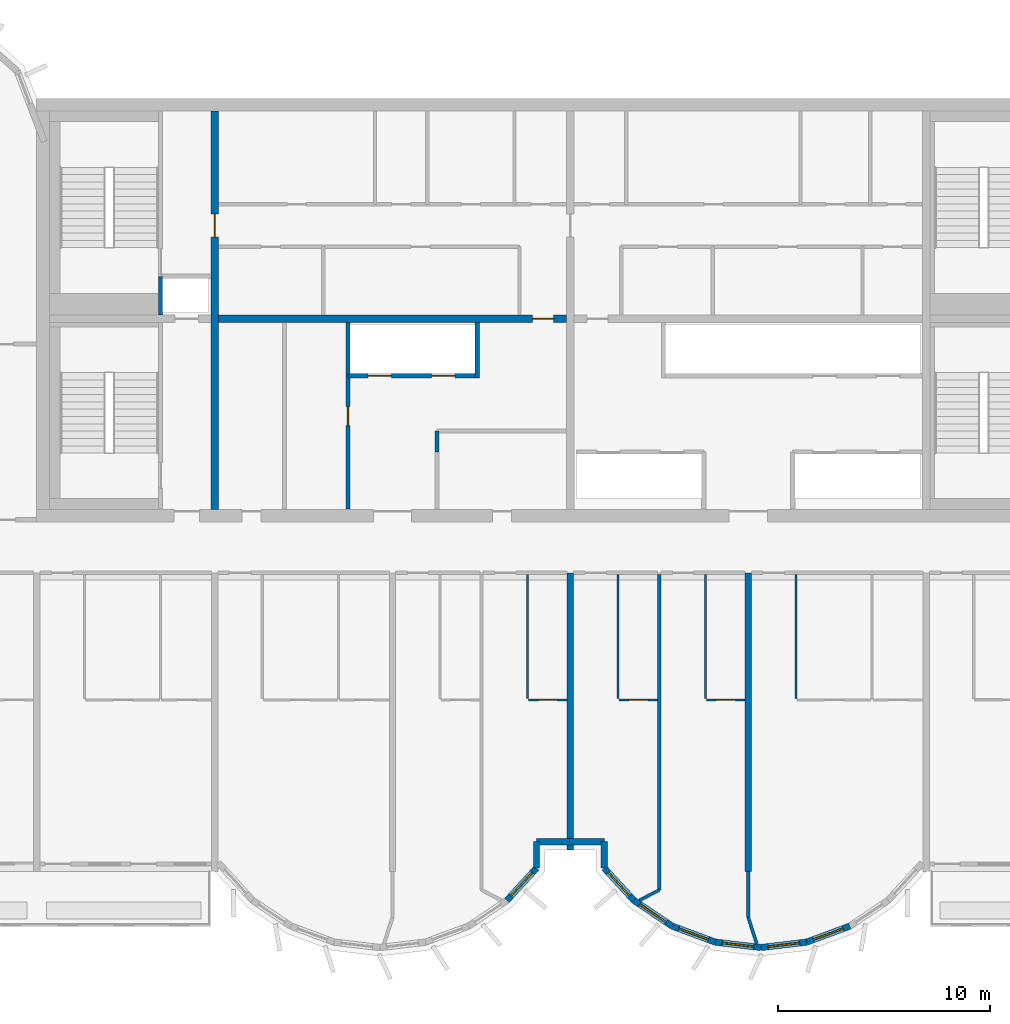
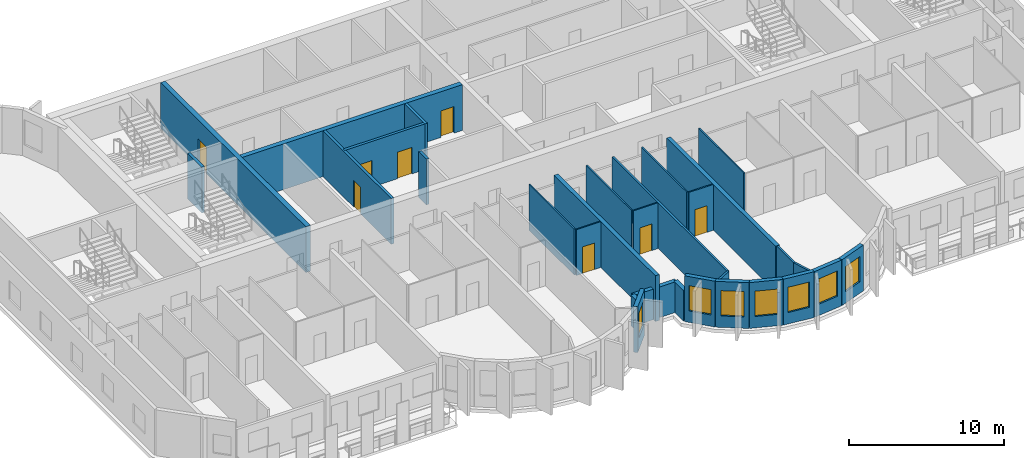
# One storey, part 4 of 11: 30 walls, 8 doors, 7 windows, 15 openings.
"""IFC4 building model written with IfcOpenShell, lengths in metres."""

from ifc_helpers import new_model, si_unit, direction, frame, frame_2d, origin, place, context, subcontext, project, spatial, rectangle, extrude, source, transform, mapped, material, layer, layer_set, type_object, element, fill, save


model = new_model("IFC4")

# Units and contexts
model_context = context("Model", 3, precision=1e-05, world=origin(), true_north=direction((0.0, 1.0)))
body_context = subcontext(model_context, "Body", "Model", "MODEL_VIEW")
ifc_project = project(units=[si_unit("LENGTHUNIT", "METRE"), si_unit("AREAUNIT", "SQUARE_METRE"), si_unit("VOLUMEUNIT", "CUBIC_METRE"), si_unit("PLANEANGLEUNIT", "RADIAN"), si_unit("MASSUNIT", "GRAM", prefix="KILO")], contexts=[model_context])

# Site, building, storey
site_placement = place(None, origin())
site = spatial("IfcSite", under=ifc_project, at=site_placement, CompositionType="ELEMENT")
building_placement = place(site_placement, origin())
building = spatial("IfcBuilding", under=site, at=building_placement, Name="Vanashikhar Sky Hotel", CompositionType="ELEMENT")
storey_placement = place(building_placement, frame((0.0, 0.0, 260.800048828125)))
storey = spatial("IfcBuildingStorey", under=building, at=storey_placement, Name="L63", CompositionType="ELEMENT", Elevation=260.800048828125)

# Wall, opening, door
ifc_material_1 = material(Name="Concrete M60", Category="concrete")
ifc_layer_1 = layer(ifc_material_1, 0.35009765625)
ifc_layer_set_1 = layer_set([ifc_layer_1], Name="RC core inner wall 350 Concrete M60")
wall_type_1 = type_object("IfcWallType", Name="RC core inner wall 350 Concrete M60", PredefinedType="SHEAR", material=ifc_layer_set_1)
shared_shape_1 = source(origin(), body_context, "Body", "SweptSolid", [
    extrude(rectangle(XDim=18.7998046875, YDim=0.35009765625, at=frame_2d((9.39990234375, 0.0))), origin(), (0.0, 0.0, 1.0), 3.619873046875),
])
wall_1_placement = place(storey_placement, frame((33.60009765625, 22.60009765625, 0.0), z_axis=(0.0, 0.0, 1.0), x_axis=(0.0, 1.0, 0.0)))
wall_1 = element("IfcWall", 1, at=wall_1_placement, inside=storey, type_object=wall_type_1, Name="KW-L63-KX1", PredefinedType="SHEAR", context=body_context, shape_type="MappedRepresentation", body=[
    mapped(shared_shape_1, transform((0.0, 0.0, 0.0), scale=1.0)),
])
shared_shape_2 = source(origin(), body_context, "Body", "SweptSolid", [
    extrude(rectangle(XDim=1.10009765625, YDim=2.10009765625, at=frame_2d((0.550048828125, 1.050048828125))), frame((0.0, 0.18505859375, 0.0), z_axis=(0.0, -1.0, 0.0), x_axis=(1.0, 0.0, 0.0)), (0.0, 0.0, 1.0), 0.3701171875),
])
opening_1_placement = place(wall_1_placement, frame((12.85009765625, 0.0, 0.0)))
opening_1 = element("IfcOpeningElement", 2, at=opening_1_placement, cuts=wall_1, Name="Opening DC-4-C", PredefinedType="OPENING", context=body_context, shape_type="MappedRepresentation", body=[
    mapped(shared_shape_2, transform((0.0, 0.0, 0.0), scale=1.0)),
])
ifc_material_2 = material(Name="Steel", Category="steel")
door_type_1 = type_object("IfcDoorType", Name="Service door 1100 FD60", OperationType="NOTDEFINED", PredefinedType="DOOR", material=ifc_material_2)
shared_shape_3 = source(origin(), body_context, "Body", "SweptSolid", [
    extrude(rectangle(XDim=1.10009765625, YDim=2.10009765625, at=frame_2d((0.550048828125, 1.050048828125))), frame((0.0, 0.02490234375, 0.0), z_axis=(0.0, -1.0, 0.0), x_axis=(1.0, 0.0, 0.0)), (0.0, 0.0, 1.0), 0.050048828125),
])
door_1_placement = place(opening_1_placement, origin())
door_1 = element("IfcDoor", 3, at=door_1_placement, inside=storey, type_object=door_type_1, Name="Service door 1100 FD60", OperationType="SINGLE_SWING_RIGHT", OverallHeight=2.10009765625, OverallWidth=1.10009765625, PredefinedType="DOOR", context=body_context, shape_type="MappedRepresentation", body=[
    mapped(shared_shape_3, transform((0.0, 0.0, 0.0), scale=1.0)),
])
fill(opening_1, door_1)

shared_shape_4 = source(origin(), body_context, "Body", "SweptSolid", [
    extrude(rectangle(XDim=16.4501953125, YDim=0.35009765625, at=frame_2d((8.22509765625, 0.0))), origin(), (0.0, 0.0, 1.0), 3.619873046875),
])
wall_2_placement = place(storey_placement, frame((33.77490234375, 31.60009765625, 0.0), z_axis=(0.0, 0.0, 1.0), x_axis=(1.0, 0.0, 0.0)))
wall_2 = element("IfcWall", 4, at=wall_2_placement, inside=storey, type_object=wall_type_1, Name="KW-L63-KY2", PredefinedType="SHEAR", context=body_context, shape_type="MappedRepresentation", body=[
    mapped(shared_shape_4, transform((0.0, 0.0, 0.0), scale=1.0)),
])
shared_shape_5 = source(origin(), body_context, "Body", "SweptSolid", [
    extrude(rectangle(XDim=1.0, YDim=2.10009765625, at=frame_2d((0.5, 1.050048828125))), frame((0.0, 0.18505859375, 0.0), z_axis=(0.0, -1.0, 0.0), x_axis=(1.0, 0.0, 0.0)), (0.0, 0.0, 1.0), 0.3701171875),
])
opening_2_placement = place(wall_2_placement, frame((14.8369140625, 0.0, 0.0)))
opening_2 = element("IfcOpeningElement", 5, at=opening_2_placement, cuts=wall_2, Name="Opening DC-4", PredefinedType="OPENING", context=body_context, shape_type="MappedRepresentation", body=[
    mapped(shared_shape_5, transform((0.0, 0.0, 0.0), scale=1.0)),
])
door_type_2 = type_object("IfcDoorType", Name="Service door 1000 FD60", OperationType="NOTDEFINED", PredefinedType="DOOR", material=ifc_material_2)
shared_shape_6 = source(origin(), body_context, "Body", "SweptSolid", [
    extrude(rectangle(XDim=1.0, YDim=2.10009765625, at=frame_2d((0.5, 1.050048828125))), frame((0.0, 0.02490234375, 0.0), z_axis=(0.0, -1.0, 0.0), x_axis=(1.0, 0.0, 0.0)), (0.0, 0.0, 1.0), 0.050048828125),
])
door_2_placement = place(opening_2_placement, origin())
door_2 = element("IfcDoor", 6, at=door_2_placement, inside=storey, type_object=door_type_2, Name="Service door 1000 FD60", OperationType="SINGLE_SWING_LEFT", OverallHeight=2.10009765625, OverallWidth=1.0, PredefinedType="DOOR", context=body_context, shape_type="MappedRepresentation", body=[
    mapped(shared_shape_6, transform((0.0, 0.0, 0.0), scale=1.0)),
])
fill(opening_2, door_2)

# Walls
ifc_layer_2 = layer(ifc_material_1, 0.300048828125)
ifc_layer_set_2 = layer_set([ifc_layer_2], Name="RC shear wall 300 Concrete M60")
wall_type_2 = type_object("IfcWallType", Name="RC shear wall 300 Concrete M60", PredefinedType="SHEAR", material=ifc_layer_set_2)
shared_shape_7 = source(origin(), body_context, "Body", "SweptSolid", [
    extrude(rectangle(XDim=14.10009765625, YDim=0.300048828125, at=frame_2d((7.050048828125, 0.0))), origin(), (0.0, 0.0, 1.0), 3.619873046875),
])
wall_3_placement = place(storey_placement, frame((58.800048828125, 5.5, 0.0), z_axis=(0.0, 0.0, 1.0), x_axis=(0.0, 1.0, 0.0)))
element("IfcWall", 7, at=wall_3_placement, inside=storey, type_object=wall_type_2, Name="CW-L63-XW08-1", PredefinedType="SHEAR", context=body_context, shape_type="MappedRepresentation", body=[
    mapped(shared_shape_7, transform((0.0, 0.0, 0.0), scale=1.0)),
])
shared_shape_8 = source(origin(), body_context, "Body", "SweptSolid", [
    extrude(rectangle(XDim=13.10009765625, YDim=0.300048828125, at=frame_2d((6.550048828125, 0.0))), origin(), (0.0, 0.0, 1.0), 3.619873046875),
])
wall_4_placement = place(storey_placement, frame((50.39990234375, 6.5, 0.0), z_axis=(0.0, 0.0, 1.0), x_axis=(0.0, 1.0, 0.0)))
element("IfcWall", 8, at=wall_4_placement, inside=storey, type_object=wall_type_2, Name="CW-L63-XW07-1", PredefinedType="SHEAR", context=body_context, shape_type="MappedRepresentation", body=[
    mapped(shared_shape_8, transform((0.0, 0.0, 0.0), scale=1.0)),
])

# Wall, opening, window
ifc_material_3 = material(Name="Concrete M50", Category="concrete")
ifc_layer_3 = layer(ifc_material_3, 0.300048828125)
ifc_layer_set_3 = layer_set([ifc_layer_3], Name="Lobe wall 300")
wall_type_3 = type_object("IfcWallType", Name="Lobe wall 300", PredefinedType="SOLIDWALL", material=ifc_layer_set_3)
shared_shape_9 = source(origin(), body_context, "Body", "SweptSolid", [
    extrude(rectangle(XDim=2.17578125, YDim=0.300048828125, at=frame_2d((1.087890625, 0.0))), origin(), (0.0, 0.0, 1.0), 3.619873046875),
])
wall_5_placement = place(storey_placement, frame((53.395751953125, 4.13134765625, 0.0), z_axis=(0.0, 0.0, 1.0), x_axis=(0.829590746428, -0.558371913192, 0.0)))
wall_5 = element("IfcWall", 9, at=wall_5_placement, inside=storey, type_object=wall_type_3, Name="Lobe wall", PredefinedType="SOLIDWALL", context=body_context, shape_type="MappedRepresentation", body=[
    mapped(shared_shape_9, transform((0.0, 0.0, 0.0), scale=1.0)),
])
shared_shape_10 = source(origin(), body_context, "Body", "SweptSolid", [
    extrude(rectangle(XDim=1.5, YDim=2.0, at=frame_2d((0.75, 1.0))), frame((0.0, 0.16015625, 0.0), z_axis=(0.0, -1.0, 0.0), x_axis=(1.0, 0.0, 0.0)), (0.0, 0.0, 1.0), 0.320068359375),
])
opening_3_placement = place(wall_5_placement, frame((0.337890625, 0.0, 0.89990234375)))
opening_3 = element("IfcOpeningElement", 10, at=opening_3_placement, cuts=wall_5, Name="Opening WN-2", PredefinedType="OPENING", context=body_context, shape_type="MappedRepresentation", body=[
    mapped(shared_shape_10, transform((0.0, 0.0, 0.0), scale=1.0)),
])
ifc_material_4 = material(Name="Glass", Category="glass")
window_type = type_object("IfcWindowType", Name="Lobe window 1500 x 2000", PartitioningType="SINGLE_PANEL", PredefinedType="WINDOW", material=ifc_material_4)
shared_shape_11 = source(origin(), body_context, "Body", "SweptSolid", [
    extrude(rectangle(XDim=1.5, YDim=2.0, at=frame_2d((0.75, 1.0))), frame((0.0, 0.030029296875, 0.0), z_axis=(0.0, -1.0, 0.0), x_axis=(1.0, 0.0, 0.0)), (0.0, 0.0, 1.0), 0.06005859375),
])
window_1_placement = place(opening_3_placement, origin())
window_1 = element("IfcWindow", 11, at=window_1_placement, inside=storey, type_object=window_type, Name="Window WN-2", OverallHeight=2.0, OverallWidth=1.5, PartitioningType="SINGLE_PANEL", PredefinedType="WINDOW", context=body_context, shape_type="MappedRepresentation", body=[
    mapped(shared_shape_11, transform((0.0, 0.0, 0.0), scale=1.0)),
])
fill(opening_3, window_1)

wall_6_placement = place(storey_placement, frame((55.20068359375, 2.91650390625, 0.0), z_axis=(0.0, 0.0, 1.0), x_axis=(0.93754555999, -0.347862505801, 0.0)))
wall_6 = element("IfcWall", 12, at=wall_6_placement, inside=storey, type_object=wall_type_3, Name="Lobe wall", PredefinedType="SOLIDWALL", context=body_context, shape_type="MappedRepresentation", body=[
    mapped(shared_shape_9, transform((0.0, 0.0, 0.0), scale=1.0)),
])
opening_4_placement = place(wall_6_placement, frame((0.337890625, 0.0, 0.89990234375)))
opening_4 = element("IfcOpeningElement", 13, at=opening_4_placement, cuts=wall_6, Name="Opening WN-2", PredefinedType="OPENING", context=body_context, shape_type="MappedRepresentation", body=[
    mapped(shared_shape_10, transform((0.0, 0.0, 0.0), scale=1.0)),
])
window_2_placement = place(opening_4_placement, origin())
window_2 = element("IfcWindow", 14, at=window_2_placement, inside=storey, type_object=window_type, Name="Window WN-2", OverallHeight=2.0, OverallWidth=1.5, PartitioningType="SINGLE_PANEL", PredefinedType="WINDOW", context=body_context, shape_type="MappedRepresentation", body=[
    mapped(shared_shape_11, transform((0.0, 0.0, 0.0), scale=1.0)),
])
fill(opening_4, window_2)

shared_shape_12 = source(origin(), body_context, "Body", "SweptSolid", [
    extrude(rectangle(XDim=2.174560546875, YDim=0.300048828125, at=frame_2d((1.08740234375, 0.0))), origin(), (0.0, 0.0, 1.0), 3.619873046875),
])
wall_7_placement = place(storey_placement, frame((57.240478515625, 2.15966796875, 0.0), z_axis=(0.0, 0.0, 1.0), x_axis=(0.993001132889, -0.118104826659, 0.0)))
wall_7 = element("IfcWall", 15, at=wall_7_placement, inside=storey, type_object=wall_type_3, Name="Lobe wall", PredefinedType="SOLIDWALL", context=body_context, shape_type="MappedRepresentation", body=[
    mapped(shared_shape_12, transform((0.0, 0.0, 0.0), scale=1.0)),
])
opening_5_placement = place(wall_7_placement, frame((0.33740234375, 0.0, 0.89990234375)))
opening_5 = element("IfcOpeningElement", 16, at=opening_5_placement, cuts=wall_7, Name="Opening WN-2", PredefinedType="OPENING", context=body_context, shape_type="MappedRepresentation", body=[
    mapped(shared_shape_10, transform((0.0, 0.0, 0.0), scale=1.0)),
])
window_3_placement = place(opening_5_placement, origin())
window_3 = element("IfcWindow", 17, at=window_3_placement, inside=storey, type_object=window_type, Name="Window WN-2", OverallHeight=2.0, OverallWidth=1.5, PartitioningType="SINGLE_PANEL", PredefinedType="WINDOW", context=body_context, shape_type="MappedRepresentation", body=[
    mapped(shared_shape_11, transform((0.0, 0.0, 0.0), scale=1.0)),
])
fill(opening_5, window_3)

shared_shape_13 = source(origin(), body_context, "Body", "SweptSolid", [
    extrude(rectangle(XDim=2.1748046875, YDim=0.300048828125, at=frame_2d((1.08740234375, 0.0))), origin(), (0.0, 0.0, 1.0), 3.619873046875),
])
wall_8_placement = place(storey_placement, frame((59.39990234375, 1.90283203125, 0.0), z_axis=(0.0, 0.0, 1.0), x_axis=(0.993002698611, 0.118091661648, 0.0)))
wall_8 = element("IfcWall", 18, at=wall_8_placement, inside=storey, type_object=wall_type_3, Name="Lobe wall", PredefinedType="SOLIDWALL", context=body_context, shape_type="MappedRepresentation", body=[
    mapped(shared_shape_13, transform((0.0, 0.0, 0.0), scale=1.0)),
])
opening_6_placement = place(wall_8_placement, frame((0.33740234375, 0.0, 0.89990234375)))
opening_6 = element("IfcOpeningElement", 19, at=opening_6_placement, cuts=wall_8, Name="Opening WN-2", PredefinedType="OPENING", context=body_context, shape_type="MappedRepresentation", body=[
    mapped(shared_shape_10, transform((0.0, 0.0, 0.0), scale=1.0)),
])
window_4_placement = place(opening_6_placement, origin())
window_4 = element("IfcWindow", 20, at=window_4_placement, inside=storey, type_object=window_type, Name="Window WN-2", OverallHeight=2.0, OverallWidth=1.5, PartitioningType="SINGLE_PANEL", PredefinedType="WINDOW", context=body_context, shape_type="MappedRepresentation", body=[
    mapped(shared_shape_11, transform((0.0, 0.0, 0.0), scale=1.0)),
])
fill(opening_6, window_4)

shared_shape_14 = source(origin(), body_context, "Body", "SweptSolid", [
    extrude(rectangle(XDim=2.175537109375, YDim=0.300048828125, at=frame_2d((1.087890625, 0.0))), origin(), (0.0, 0.0, 1.0), 3.619873046875),
])
wall_9_placement = place(storey_placement, frame((61.5595703125, 2.15966796875, 0.0), z_axis=(0.0, 0.0, 1.0), x_axis=(0.937531979054, 0.347899106424, 0.0)))
wall_9 = element("IfcWall", 21, at=wall_9_placement, inside=storey, type_object=wall_type_3, Name="Lobe wall", PredefinedType="SOLIDWALL", context=body_context, shape_type="MappedRepresentation", body=[
    mapped(shared_shape_14, transform((0.0, 0.0, 0.0), scale=1.0)),
])
opening_7_placement = place(wall_9_placement, frame((0.337890625, 0.0, 0.89990234375)))
opening_7 = element("IfcOpeningElement", 22, at=opening_7_placement, cuts=wall_9, Name="Opening WN-2", PredefinedType="OPENING", context=body_context, shape_type="MappedRepresentation", body=[
    mapped(shared_shape_10, transform((0.0, 0.0, 0.0), scale=1.0)),
])
window_5_placement = place(opening_7_placement, origin())
window_5 = element("IfcWindow", 23, at=window_5_placement, inside=storey, type_object=window_type, Name="Window WN-2", OverallHeight=2.0, OverallWidth=1.5, PartitioningType="SINGLE_PANEL", PredefinedType="WINDOW", context=body_context, shape_type="MappedRepresentation", body=[
    mapped(shared_shape_11, transform((0.0, 0.0, 0.0), scale=1.0)),
])
fill(opening_7, window_5)

shared_shape_15 = source(origin(), body_context, "Body", "SweptSolid", [
    extrude(rectangle(XDim=2.066650390625, YDim=0.300048828125, at=frame_2d((1.033203125, 0.0))), origin(), (0.0, 0.0, 1.0), 3.619873046875),
])
wall_10_placement = place(storey_placement, frame((47.404296875, 4.13134765625, 0.0), z_axis=(0.0, 0.0, 1.0), x_axis=(0.675355439877, 0.737492393065, 0.0)))
wall_10 = element("IfcWall", 24, at=wall_10_placement, inside=storey, type_object=wall_type_3, Name="Lobe wall", PredefinedType="SOLIDWALL", context=body_context, shape_type="MappedRepresentation", body=[
    mapped(shared_shape_15, transform((0.0, 0.0, 0.0), scale=1.0)),
])
opening_8_placement = place(wall_10_placement, frame((0.283447265625, 0.0, 0.89990234375)))
opening_8 = element("IfcOpeningElement", 25, at=opening_8_placement, cuts=wall_10, Name="Opening WN-2", PredefinedType="OPENING", context=body_context, shape_type="MappedRepresentation", body=[
    mapped(shared_shape_10, transform((0.0, 0.0, 0.0), scale=1.0)),
])
window_6_placement = place(opening_8_placement, origin())
window_6 = element("IfcWindow", 26, at=window_6_placement, inside=storey, type_object=window_type, Name="Window WN-2", OverallHeight=2.0, OverallWidth=1.5, PartitioningType="SINGLE_PANEL", PredefinedType="WINDOW", context=body_context, shape_type="MappedRepresentation", body=[
    mapped(shared_shape_11, transform((0.0, 0.0, 0.0), scale=1.0)),
])
fill(opening_8, window_6)

wall_11_placement = place(storey_placement, frame((52.0, 5.655517578125, 0.0), z_axis=(0.0, 0.0, 1.0), x_axis=(0.675355439877, -0.737492393065, 0.0)))
wall_11 = element("IfcWall", 27, at=wall_11_placement, inside=storey, type_object=wall_type_3, Name="Lobe wall", PredefinedType="SOLIDWALL", context=body_context, shape_type="MappedRepresentation", body=[
    mapped(shared_shape_15, transform((0.0, 0.0, 0.0), scale=1.0)),
])
opening_9_placement = place(wall_11_placement, frame((0.283447265625, 0.0, 0.89990234375)))
opening_9 = element("IfcOpeningElement", 28, at=opening_9_placement, cuts=wall_11, Name="Opening WN-2", PredefinedType="OPENING", context=body_context, shape_type="MappedRepresentation", body=[
    mapped(shared_shape_10, transform((0.0, 0.0, 0.0), scale=1.0)),
])
window_7_placement = place(opening_9_placement, origin())
window_7 = element("IfcWindow", 29, at=window_7_placement, inside=storey, type_object=window_type, Name="Window WN-2", OverallHeight=2.0, OverallWidth=1.5, PartitioningType="SINGLE_PANEL", PredefinedType="WINDOW", context=body_context, shape_type="MappedRepresentation", body=[
    mapped(shared_shape_11, transform((0.0, 0.0, 0.0), scale=1.0)),
])
fill(opening_9, window_7)

# Walls
shared_shape_16 = source(origin(), body_context, "Body", "SweptSolid", [
    extrude(rectangle(XDim=1.244384765625, YDim=0.300048828125, at=frame_2d((0.6220703125, 0.0))), origin(), (0.0, 0.0, 1.0), 2.419921875),
])
for number, where, z_axis, x_axis, name in (
    (30, (48.800048828125, 5.655517578125, 0.0), (0.0, 0.0, 1.0), (0.0, 1.0, 0.0), "Groove wall"),
    (31, (52.0, 6.89990234375, 0.0), (0.0, 0.0, 1.0), (0.0, -1.0, 0.0), "Groove wall"),
):
    element("IfcWall", number, at=place(storey_placement, frame(where, z_axis=z_axis, x_axis=x_axis)), inside=storey, type_object=wall_type_3, Name=name, PredefinedType="SOLIDWALL", context=body_context, shape_type="MappedRepresentation", body=[
        mapped(shared_shape_16, transform((0.0, 0.0, 0.0), scale=1.0)),
    ])
shared_shape_17 = source(origin(), body_context, "Body", "SweptSolid", [
    extrude(rectangle(XDim=3.199951171875, YDim=0.300048828125, at=frame_2d((1.60009765625, 0.0))), origin(), (0.0, 0.0, 1.0), 2.419921875),
])
wall_12_placement = place(storey_placement, frame((48.800048828125, 6.89990234375, 0.0), z_axis=(0.0, 0.0, 1.0), x_axis=(1.0, 0.0, 0.0)))
element("IfcWall", 32, at=wall_12_placement, inside=storey, type_object=wall_type_3, Name="Groove wall", PredefinedType="SOLIDWALL", context=body_context, shape_type="MappedRepresentation", body=[
    mapped(shared_shape_17, transform((0.0, 0.0, 0.0), scale=1.0)),
])

# Wall, openings, doors
ifc_material_5 = material(Name="Concrete M40", Category="concrete")
ifc_layer_4 = layer(ifc_material_5, 0.199951171875)
ifc_layer_set_4 = layer_set([ifc_layer_4], Name="Shaft wall 200")
wall_type_4 = type_object("IfcWallType", Name="Shaft wall 200", PredefinedType="SOLIDWALL", material=ifc_layer_set_4)
shared_shape_18 = source(origin(), body_context, "Body", "SweptSolid", [
    extrude(rectangle(XDim=6.0, YDim=0.199951171875, at=frame_2d((3.0, 0.0))), origin(), (0.0, 0.0, 1.0), 3.619873046875),
])
wall_13_placement = place(storey_placement, frame((39.89990234375, 28.89990234375, 0.0), z_axis=(0.0, 0.0, 1.0), x_axis=(1.0, 0.0, 0.0)))
wall_13 = element("IfcWall", 33, at=wall_13_placement, inside=storey, type_object=wall_type_4, Name="Shaft wall 200", PredefinedType="SOLIDWALL", context=body_context, shape_type="MappedRepresentation", body=[
    mapped(shared_shape_18, transform((0.0, 0.0, 0.0), scale=1.0)),
])
shared_shape_19 = source(origin(), body_context, "Body", "SweptSolid", [
    extrude(rectangle(XDim=1.10009765625, YDim=2.10009765625, at=frame_2d((0.550048828125, 1.050048828125))), frame((0.0, 0.10986328125, 0.0), z_axis=(0.0, -1.0, 0.0), x_axis=(1.0, 0.0, 0.0)), (0.0, 0.0, 1.0), 0.219970703125),
])
opening_10_placement = place(wall_13_placement, frame((0.949951171875, 0.0, 0.0)))
opening_10 = element("IfcOpeningElement", 34, at=opening_10_placement, cuts=wall_13, Name="Opening LD", PredefinedType="OPENING", context=body_context, shape_type="MappedRepresentation", body=[
    mapped(shared_shape_19, transform((0.0, 0.0, 0.0), scale=1.0)),
])
opening_11_placement = place(wall_13_placement, frame((3.949951171875, 0.0, 0.0)))
opening_11 = element("IfcOpeningElement", 35, at=opening_11_placement, cuts=wall_13, Name="Opening LD", PredefinedType="OPENING", context=body_context, shape_type="MappedRepresentation", body=[
    mapped(shared_shape_19, transform((0.0, 0.0, 0.0), scale=1.0)),
])
ifc_material_6 = material(Name="Stainless steel", Category="steel")
door_type_3 = type_object("IfcDoorType", Name="Lift landing door 1100", OperationType="NOTDEFINED", PredefinedType="DOOR", material=ifc_material_6)
door_3_placement = place(opening_10_placement, origin())
door_3 = element("IfcDoor", 36, at=door_3_placement, inside=storey, type_object=door_type_3, Name="Lift landing door 1100", OperationType="SLIDING_TO_LEFT", OverallHeight=2.10009765625, OverallWidth=1.10009765625, PredefinedType="DOOR", context=body_context, shape_type="MappedRepresentation", body=[
    mapped(shared_shape_3, transform((0.0, 0.0, 0.0), scale=1.0)),
])
fill(opening_10, door_3)
door_4_placement = place(opening_11_placement, origin())
door_4 = element("IfcDoor", 37, at=door_4_placement, inside=storey, type_object=door_type_3, Name="Lift landing door 1100", OperationType="SLIDING_TO_RIGHT", OverallHeight=2.10009765625, OverallWidth=1.10009765625, PredefinedType="DOOR", context=body_context, shape_type="MappedRepresentation", body=[
    mapped(shared_shape_3, transform((0.0, 0.0, 0.0), scale=1.0)),
])
fill(opening_11, door_4)

# Wall, opening, door
ifc_material_7 = material(Name="Gypsum board partition")
ifc_layer_5 = layer(ifc_material_7, 0.14990234375)
ifc_layer_set_5 = layer_set([ifc_layer_5], Name="Service partition 150")
wall_type_5 = type_object("IfcWallType", Name="Service partition 150", PredefinedType="PARTITIONING", material=ifc_layer_set_5)
shared_shape_20 = source(origin(), body_context, "Body", "SweptSolid", [
    extrude(rectangle(XDim=8.824951171875, YDim=0.199951171875, at=frame_2d((4.41259765625, 0.0))), origin(), (0.0, 0.0, 1.0), 3.619873046875),
])
wall_14_placement = place(storey_placement, frame((39.89990234375, 22.60009765625, 0.0), z_axis=(0.0, 0.0, 1.0), x_axis=(0.0, 1.0, 0.0)))
wall_14 = element("IfcWall", 38, at=wall_14_placement, inside=storey, type_object=wall_type_5, Name="Service partition 150", PredefinedType="PARTITIONING", context=body_context, shape_type="MappedRepresentation", body=[
    mapped(shared_shape_20, transform((0.0, 0.0, 0.0), scale=1.0)),
])
shared_shape_21 = source(origin(), body_context, "Body", "SweptSolid", [
    extrude(rectangle(XDim=0.89990234375, YDim=2.10009765625, at=frame_2d((0.449951171875, 1.050048828125))), frame((0.0, 0.10986328125, 0.0), z_axis=(0.0, -1.0, 0.0), x_axis=(1.0, 0.0, 0.0)), (0.0, 0.0, 1.0), 0.219970703125),
])
opening_12_placement = place(wall_14_placement, frame((3.949951171875, 0.0, 0.0)))
opening_12 = element("IfcOpeningElement", 39, at=opening_12_placement, cuts=wall_14, Name="Opening DC-4-A", PredefinedType="OPENING", context=body_context, shape_type="MappedRepresentation", body=[
    mapped(shared_shape_21, transform((0.0, 0.0, 0.0), scale=1.0)),
])
door_type_4 = type_object("IfcDoorType", Name="Service door 900 FD60", OperationType="NOTDEFINED", PredefinedType="DOOR", material=ifc_material_2)
shared_shape_22 = source(origin(), body_context, "Body", "SweptSolid", [
    extrude(rectangle(XDim=0.89990234375, YDim=2.10009765625, at=frame_2d((0.449951171875, 1.050048828125))), frame((0.0, 0.02490234375, 0.0), z_axis=(0.0, -1.0, 0.0), x_axis=(1.0, 0.0, 0.0)), (0.0, 0.0, 1.0), 0.050048828125),
])
door_5_placement = place(opening_12_placement, origin())
door_5 = element("IfcDoor", 40, at=door_5_placement, inside=storey, type_object=door_type_4, Name="Service door 900 FD60", OperationType="SINGLE_SWING_LEFT", OverallHeight=2.10009765625, OverallWidth=0.89990234375, PredefinedType="DOOR", context=body_context, shape_type="MappedRepresentation", body=[
    mapped(shared_shape_22, transform((0.0, 0.0, 0.0), scale=1.0)),
])
fill(opening_12, door_5)

# Walls
shared_shape_23 = source(origin(), body_context, "Body", "SweptSolid", [
    extrude(rectangle(XDim=2.625, YDim=0.199951171875, at=frame_2d((1.3125, 0.0))), origin(), (0.0, 0.0, 1.0), 3.619873046875),
])
wall_15_placement = place(storey_placement, frame((46.0, 28.800048828125, 0.0), z_axis=(0.0, 0.0, 1.0), x_axis=(0.0, 1.0, 0.0)))
element("IfcWall", 41, at=wall_15_placement, inside=storey, type_object=wall_type_4, Name="Shaft wall 200", PredefinedType="SOLIDWALL", context=body_context, shape_type="MappedRepresentation", body=[
    mapped(shared_shape_23, transform((0.0, 0.0, 0.0), scale=1.0)),
])
shared_shape_24 = source(origin(), body_context, "Body", "SweptSolid", [
    extrude(rectangle(XDim=1.0, YDim=0.199951171875, at=frame_2d((0.5, 0.0))), origin(), (0.0, 0.0, 1.0), 3.619873046875),
])
wall_16_placement = place(storey_placement, frame((44.10009765625, 25.300048828125, 0.0), z_axis=(0.0, 0.0, 1.0), x_axis=(0.0, 1.0, 0.0)))
element("IfcWall", 42, at=wall_16_placement, inside=storey, type_object=wall_type_5, Name="Service partition 150", PredefinedType="PARTITIONING", context=body_context, shape_type="MappedRepresentation", body=[
    mapped(shared_shape_24, transform((0.0, 0.0, 0.0), scale=1.0)),
])
shared_shape_25 = source(origin(), body_context, "Body", "SweptSolid", [
    extrude(rectangle(XDim=1.8251953125, YDim=0.199951171875, at=frame_2d((0.91259765625, 0.0))), origin(), (0.0, 0.0, 1.0), 3.619873046875),
])
wall_17_placement = place(storey_placement, frame((31.050048828125, 31.77490234375, 0.0), z_axis=(0.0, 0.0, 1.0), x_axis=(0.0, 1.0, 0.0)))
element("IfcWall", 43, at=wall_17_placement, inside=storey, type_object=wall_type_4, Name="Shaft wall 200", PredefinedType="SOLIDWALL", context=body_context, shape_type="MappedRepresentation", body=[
    mapped(shared_shape_25, transform((0.0, 0.0, 0.0), scale=1.0)),
])
ifc_material_8 = material(Name="Gypsum plasterboard partition")
ifc_layer_6 = layer(ifc_material_8, 0.14990234375)
ifc_layer_set_6 = layer_set([ifc_layer_6], Name="Corridor and demising partition 150")
wall_type_6 = type_object("IfcWallType", Name="Corridor and demising partition 150", PredefinedType="PARTITIONING", material=ifc_layer_set_6)
shared_shape_26 = source(origin(), body_context, "Body", "SweptSolid", [
    extrude(rectangle(XDim=14.906005859375, YDim=0.14990234375, at=frame_2d((7.453125, 0.0))), origin(), (0.0, 0.0, 1.0), 3.619873046875),
])
wall_18_placement = place(storey_placement, frame((54.60009765625, 4.618896484375, 0.0), z_axis=(0.0, 0.0, 1.0), x_axis=(0.0, 1.0, 0.0)))
element("IfcWall", 44, at=wall_18_placement, inside=storey, type_object=wall_type_6, Name="W-L63-PW031", PredefinedType="PARTITIONING", context=body_context, shape_type="MappedRepresentation", body=[
    mapped(shared_shape_26, transform((0.0, 0.0, 0.0), scale=1.0)),
])
shared_shape_27 = source(origin(), body_context, "Body", "SweptSolid", [
    extrude(rectangle(XDim=2.177978515625, YDim=0.14990234375, at=frame_2d((1.0888671875, 0.0))), origin(), (0.0, 0.0, 1.0), 3.619873046875),
])
wall_19_placement = place(storey_placement, frame((58.800048828125, 3.322021484375, 0.0), z_axis=(0.0, 0.0, 1.0), x_axis=(0.0, 1.0, 0.0)))
element("IfcWall", 45, at=wall_19_placement, inside=storey, type_object=wall_type_6, Name="W-L63-PW048", PredefinedType="PARTITIONING", context=body_context, shape_type="MappedRepresentation", body=[
    mapped(shared_shape_27, transform((0.0, 0.0, 0.0), scale=1.0)),
])
shared_shape_28 = source(origin(), body_context, "Body", "SweptSolid", [
    extrude(rectangle(XDim=1.057861328125, YDim=0.14990234375, at=frame_2d((0.52880859375, 0.0))), origin(), (0.0, 0.0, 1.0), 3.619873046875),
])
wall_20_placement = place(storey_placement, frame((53.659912109375, 4.134033203125, 0.0), z_axis=(0.0, 0.0, 1.0), x_axis=(0.888772319209, 0.458348955063, 0.0)))
element("IfcWall", 46, at=wall_20_placement, inside=storey, type_object=wall_type_6, Name="W-L63-PW031B0", PredefinedType="PARTITIONING", context=body_context, shape_type="MappedRepresentation", body=[
    mapped(shared_shape_28, transform((0.0, 0.0, 0.0), scale=1.0)),
])
shared_shape_29 = source(origin(), body_context, "Body", "SweptSolid", [
    extrude(rectangle(XDim=1.308349609375, YDim=0.14990234375, at=frame_2d((0.654296875, 0.0))), origin(), (0.0, 0.0, 1.0), 3.619873046875),
])
wall_21_placement = place(storey_placement, frame((59.201904296875, 2.076904296875, 0.0), z_axis=(0.0, 0.0, 1.0), x_axis=(-0.307144529633, 0.951662880392, 0.0)))
element("IfcWall", 47, at=wall_21_placement, inside=storey, type_object=wall_type_6, Name="W-L63-PW048B0", PredefinedType="PARTITIONING", context=body_context, shape_type="MappedRepresentation", body=[
    mapped(shared_shape_29, transform((0.0, 0.0, 0.0), scale=1.0)),
])
ifc_layer_7 = layer(ifc_material_8, 0.10009765625)
ifc_layer_set_7 = layer_set([ifc_layer_7], Name="Wet room partition 100")
wall_type_7 = type_object("IfcWallType", Name="Wet room partition 100", PredefinedType="PARTITIONING", material=ifc_layer_set_7)
shared_shape_30 = source(origin(), body_context, "Body", "SweptSolid", [
    extrude(rectangle(XDim=5.849853515625, YDim=0.10009765625, at=frame_2d((2.9248046875, 0.0))), origin(), (0.0, 0.0, 1.0), 3.619873046875),
])
for number, where, z_axis, x_axis, name in (
    (48, (48.375, 13.675048828125, 0.0), (0.0, 0.0, 1.0), (0.0, 1.0, 0.0), "W-L63-PW021"),
    (49, (52.64990234375, 13.675048828125, 0.0), (0.0, 0.0, 1.0), (0.0, 1.0, 0.0), "W-L63-PW025"),
    (50, (56.77490234375, 13.675048828125, 0.0), (0.0, 0.0, 1.0), (0.0, 1.0, 0.0), "W-L63-PW028"),
    (51, (61.050048828125, 13.675048828125, 0.0), (0.0, 0.0, 1.0), (0.0, 1.0, 0.0), "W-L63-PW032"),
):
    element("IfcWall", number, at=place(storey_placement, frame(where, z_axis=z_axis, x_axis=x_axis)), inside=storey, type_object=wall_type_7, Name=name, PredefinedType="PARTITIONING", context=body_context, shape_type="MappedRepresentation", body=[
        mapped(shared_shape_30, transform((0.0, 0.0, 0.0), scale=1.0)),
    ])

# Wall, opening, door
shared_shape_31 = source(origin(), body_context, "Body", "SweptSolid", [
    extrude(rectangle(XDim=1.824951171875, YDim=0.10009765625, at=frame_2d((0.91259765625, 0.0))), origin(), (0.0, 0.0, 1.0), 3.619873046875),
])
wall_22_placement = place(storey_placement, frame((48.425048828125, 13.60009765625, 0.0), z_axis=(0.0, 0.0, 1.0), x_axis=(1.0, 0.0, 0.0)))
wall_22 = element("IfcWall", 52, at=wall_22_placement, inside=storey, type_object=wall_type_7, Name="W-L63-PW022", PredefinedType="PARTITIONING", context=body_context, shape_type="MappedRepresentation", body=[
    mapped(shared_shape_31, transform((0.0, 0.0, 0.0), scale=1.0)),
])
shared_shape_32 = source(origin(), body_context, "Body", "SweptSolid", [
    extrude(rectangle(XDim=0.89990234375, YDim=2.10009765625, at=frame_2d((0.449951171875, 1.050048828125))), frame((0.0, 0.06005859375, 0.0), z_axis=(0.0, -1.0, 0.0), x_axis=(1.0, 0.0, 0.0)), (0.0, 0.0, 1.0), 0.1201171875),
])
opening_13_placement = place(wall_22_placement, frame((0.462890625, 0.0, 0.0)))
opening_13 = element("IfcOpeningElement", 53, at=opening_13_placement, cuts=wall_22, Name="Opening D-02", PredefinedType="OPENING", context=body_context, shape_type="MappedRepresentation", body=[
    mapped(shared_shape_32, transform((0.0, 0.0, 0.0), scale=1.0)),
])
ifc_material_9 = material(Name="Timber door", Category="wood")
door_type_5 = type_object("IfcDoorType", Name="Internal door 900", OperationType="NOTDEFINED", PredefinedType="DOOR", material=ifc_material_9)
door_6_placement = place(opening_13_placement, origin())
door_6 = element("IfcDoor", 54, at=door_6_placement, inside=storey, type_object=door_type_5, Name="D-L63-013", OperationType="SINGLE_SWING_LEFT", OverallHeight=2.10009765625, OverallWidth=0.89990234375, PredefinedType="DOOR", context=body_context, shape_type="MappedRepresentation", body=[
    mapped(shared_shape_22, transform((0.0, 0.0, 0.0), scale=1.0)),
])
fill(opening_13, door_6)

wall_23_placement = place(storey_placement, frame((52.699951171875, 13.60009765625, 0.0), z_axis=(0.0, 0.0, 1.0), x_axis=(1.0, 0.0, 0.0)))
wall_23 = element("IfcWall", 55, at=wall_23_placement, inside=storey, type_object=wall_type_7, Name="W-L63-PW026", PredefinedType="PARTITIONING", context=body_context, shape_type="MappedRepresentation", body=[
    mapped(shared_shape_31, transform((0.0, 0.0, 0.0), scale=1.0)),
])
opening_14_placement = place(wall_23_placement, frame((0.4619140625, 0.0, 0.0)))
opening_14 = element("IfcOpeningElement", 56, at=opening_14_placement, cuts=wall_23, Name="Opening D-02", PredefinedType="OPENING", context=body_context, shape_type="MappedRepresentation", body=[
    mapped(shared_shape_32, transform((0.0, 0.0, 0.0), scale=1.0)),
])
door_7_placement = place(opening_14_placement, origin())
door_7 = element("IfcDoor", 57, at=door_7_placement, inside=storey, type_object=door_type_5, Name="D-L63-015", OperationType="SINGLE_SWING_LEFT", OverallHeight=2.10009765625, OverallWidth=0.89990234375, PredefinedType="DOOR", context=body_context, shape_type="MappedRepresentation", body=[
    mapped(shared_shape_22, transform((0.0, 0.0, 0.0), scale=1.0)),
])
fill(opening_14, door_7)

wall_24_placement = place(storey_placement, frame((56.824951171875, 13.60009765625, 0.0), z_axis=(0.0, 0.0, 1.0), x_axis=(1.0, 0.0, 0.0)))
wall_24 = element("IfcWall", 58, at=wall_24_placement, inside=storey, type_object=wall_type_7, Name="W-L63-PW029", PredefinedType="PARTITIONING", context=body_context, shape_type="MappedRepresentation", body=[
    mapped(shared_shape_31, transform((0.0, 0.0, 0.0), scale=1.0)),
])
opening_15_placement = place(wall_24_placement, frame((0.4619140625, 0.0, 0.0)))
opening_15 = element("IfcOpeningElement", 59, at=opening_15_placement, cuts=wall_24, Name="Opening D-02", PredefinedType="OPENING", context=body_context, shape_type="MappedRepresentation", body=[
    mapped(shared_shape_32, transform((0.0, 0.0, 0.0), scale=1.0)),
])
door_8_placement = place(opening_15_placement, origin())
door_8 = element("IfcDoor", 60, at=door_8_placement, inside=storey, type_object=door_type_5, Name="D-L63-017", OperationType="SINGLE_SWING_LEFT", OverallHeight=2.10009765625, OverallWidth=0.89990234375, PredefinedType="DOOR", context=body_context, shape_type="MappedRepresentation", body=[
    mapped(shared_shape_22, transform((0.0, 0.0, 0.0), scale=1.0)),
])
fill(opening_15, door_8)

save(model, "model.ifc")
